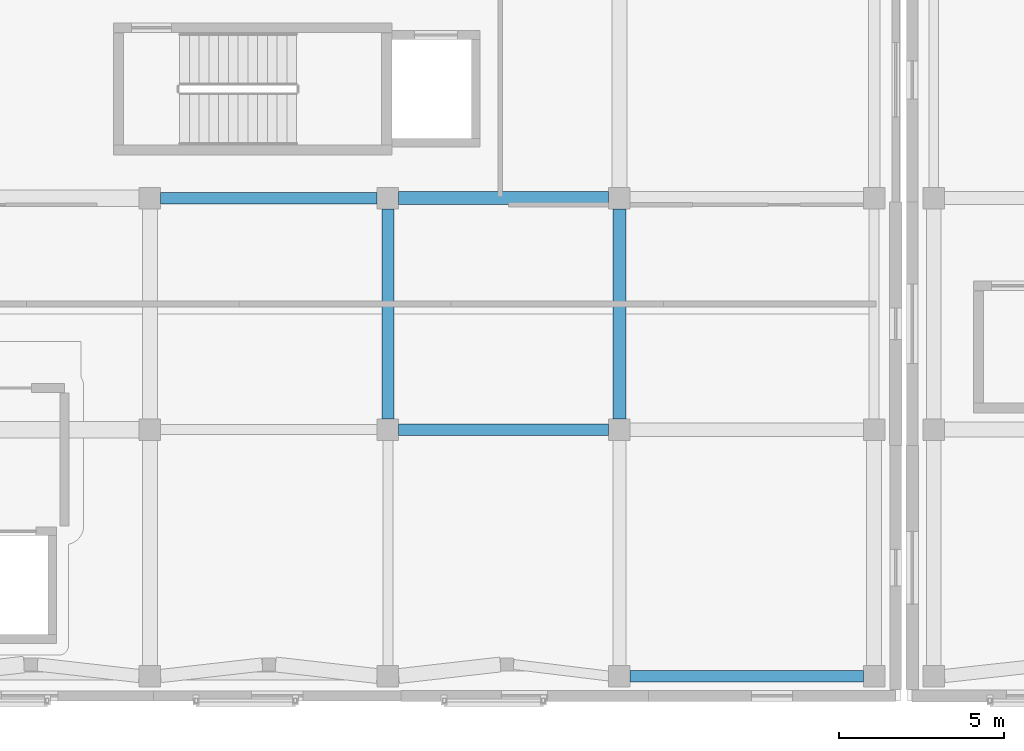
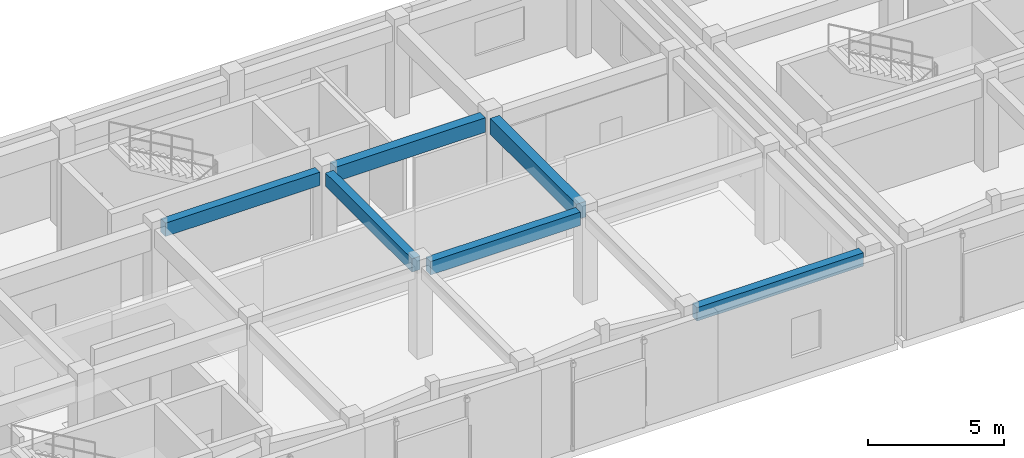
# One storey, part 23 of 142: 6 beams.
"""IFC4 building model written with IfcOpenShell, lengths in metres."""

from ifc_helpers import new_model, si_unit, direction, frame, origin, origin_2d, place, context, subcontext, project, spatial, rectangle, extrude, material, material_profile, profile_set, type_object, element, save


model = new_model("IFC4")

# Units and contexts
model_context = context("Model", 3, precision=1e-05, world=origin(), true_north=direction((0.0, 1.0)))
body_context = subcontext(model_context, "Body", "Model", "MODEL_VIEW")
ifc_project = project(units=[si_unit("LENGTHUNIT", "METRE"), si_unit("AREAUNIT", "SQUARE_METRE"), si_unit("VOLUMEUNIT", "CUBIC_METRE"), si_unit("PLANEANGLEUNIT", "RADIAN"), si_unit("MASSUNIT", "GRAM", prefix="KILO")], contexts=[model_context])

# Site, building, storey
site_placement = place(None, origin())
site = spatial("IfcSite", under=ifc_project, at=site_placement, CompositionType="ELEMENT")
building_placement = place(site_placement, origin())
building = spatial("IfcBuilding", under=site, at=building_placement, Name="Valcora Specialist Clinic", CompositionType="ELEMENT")
storey_placement = place(building_placement, frame((0.0, 0.0, 5.10009765625)))
storey = spatial("IfcBuildingStorey", under=building, at=storey_placement, Name="L01", CompositionType="ELEMENT", Elevation=5.10009765625)

# Beams
ifc_material = material(Name="Concrete C40/50", Category="concrete")
ifc_material_profile_1 = material_profile(ifc_material, rectangle(XDim=0.35009765625, YDim=0.60009765625, at=origin_2d()), Name="RC-BM-350X600")
ifc_profile_set_1 = profile_set([ifc_material_profile_1], Name="Concrete C40/50")
beam_type_1 = type_object("IfcBeamType", Name="TY-BM-RC350X600", PredefinedType="BEAM", material=ifc_profile_set_1)
beam_1_placement = place(storey_placement, frame((45.125, 0.75, 3.77490234375), z_axis=(1.0, 0.0, 0.0), x_axis=(0.0, 1.0, 0.0)))
element("IfcBeam", 1, at=beam_1_placement, inside=storey, type_object=beam_type_1, Name="Beam BM-L01-0938", PredefinedType="BEAM", context=body_context, shape_type="SweptSolid", body=[
    extrude(rectangle(XDim=0.35009765625, YDim=0.60009765625, at=origin_2d()), origin(), (0.0, 0.0, 1.0), 7.050048828125),
])
beam_2_placement = place(storey_placement, frame((38.125, 8.199951171875, 3.77490234375), z_axis=(1.0, 0.0, 0.0), x_axis=(0.0, 1.0, 0.0)))
element("IfcBeam", 2, at=beam_2_placement, inside=storey, type_object=beam_type_1, Name="Beam BM-L01-0944", PredefinedType="BEAM", context=body_context, shape_type="SweptSolid", body=[
    extrude(rectangle(XDim=0.35009765625, YDim=0.60009765625, at=origin_2d()), origin(), (0.0, 0.0, 1.0), 6.35009765625),
])
beam_3_placement = place(storey_placement, frame((30.925048828125, 15.199951171875, 3.77490234375), z_axis=(1.0, 0.0, 0.0), x_axis=(0.0, 1.0, 0.0)))
element("IfcBeam", 3, at=beam_3_placement, inside=storey, type_object=beam_type_1, Name="Beam BM-L01-0950", PredefinedType="BEAM", context=body_context, shape_type="SweptSolid", body=[
    extrude(rectangle(XDim=0.35009765625, YDim=0.60009765625, at=origin_2d()), origin(), (0.0, 0.0, 1.0), 6.550048828125),
])
beam_4_placement = place(storey_placement, frame((37.800048828125, 8.52490234375, 3.77490234375), z_axis=(0.0, 1.0, 0.0), x_axis=(-1.0, 0.0, 0.0)))
element("IfcBeam", 4, at=beam_4_placement, inside=storey, type_object=beam_type_1, Name="Beam BM-L01-0972", PredefinedType="BEAM", context=body_context, shape_type="SweptSolid", body=[
    extrude(rectangle(XDim=0.35009765625, YDim=0.60009765625, at=origin_2d()), origin(), (0.0, 0.0, 1.0), 6.35009765625),
])
ifc_material_profile_2 = material_profile(ifc_material, rectangle(XDim=0.39990234375, YDim=0.64990234375, at=origin_2d()), Name="RC-BM-400X650")
ifc_profile_set_2 = profile_set([ifc_material_profile_2], Name="Concrete C40/50")
beam_type_2 = type_object("IfcBeamType", Name="TY-BM-RC400X650", PredefinedType="BEAM", material=ifc_profile_set_2)
beam_5_placement = place(storey_placement, frame((38.125, 15.199951171875, 3.75), z_axis=(1.0, 0.0, 0.0), x_axis=(0.0, 1.0, 0.0)))
element("IfcBeam", 5, at=beam_5_placement, inside=storey, type_object=beam_type_2, Name="Beam BM-L01-0951", PredefinedType="BEAM", context=body_context, shape_type="SweptSolid", body=[
    extrude(rectangle(XDim=0.39990234375, YDim=0.64990234375, at=origin_2d()), origin(), (0.0, 0.0, 1.0), 6.35009765625),
])
ifc_material_profile_3 = material_profile(ifc_material, rectangle(XDim=0.39990234375, YDim=0.699951171875, at=origin_2d()), Name="RC-BM-400X700")
ifc_profile_set_3 = profile_set([ifc_material_profile_3], Name="Concrete C40/50")
beam_type_3 = type_object("IfcBeamType", Name="TY-BM-RC400X700", PredefinedType="BEAM", material=ifc_profile_set_3)
beam_6_placement = place(storey_placement, frame((44.800048828125, 8.52490234375, 3.724853515625), z_axis=(0.0, 1.0, 0.0), x_axis=(-1.0, 0.0, 0.0)))
element("IfcBeam", 6, at=beam_6_placement, inside=storey, type_object=beam_type_3, Name="Beam BM-L01-0974", PredefinedType="BEAM", context=body_context, shape_type="SweptSolid", body=[
    extrude(rectangle(XDim=0.39990234375, YDim=0.699951171875, at=origin_2d()), origin(), (0.0, 0.0, 1.0), 6.35009765625),
])

save(model, "model.ifc")
